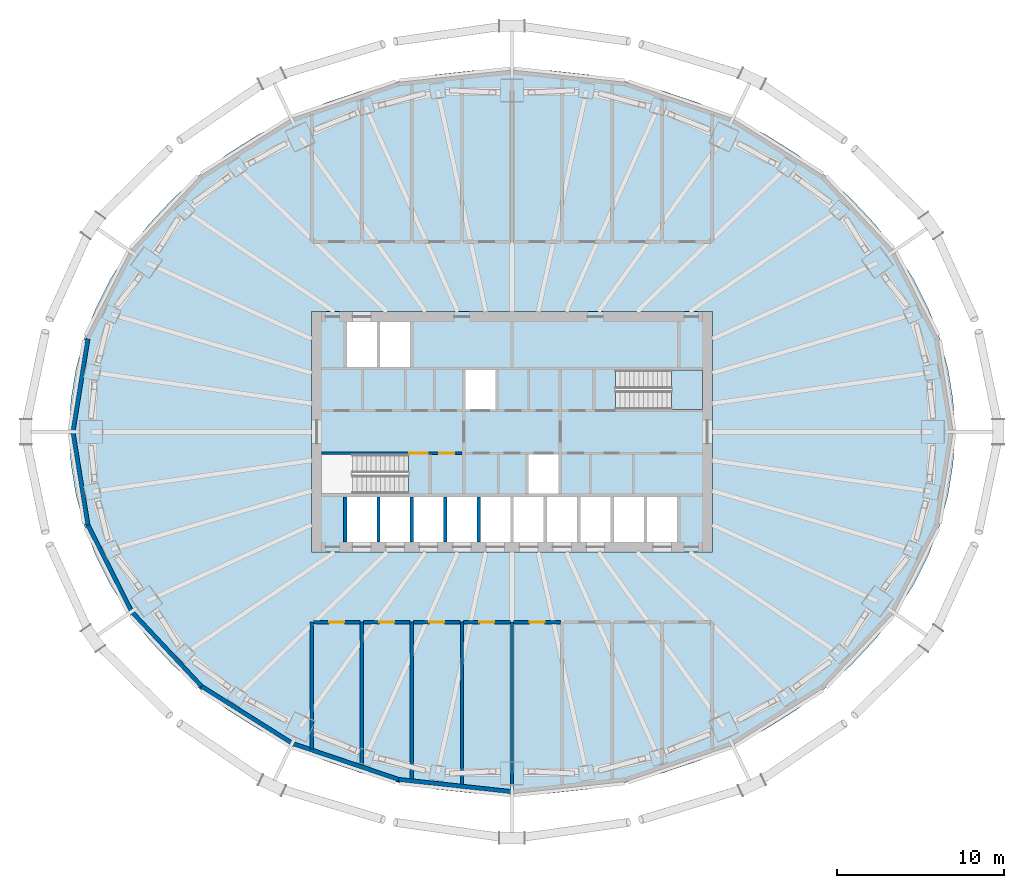
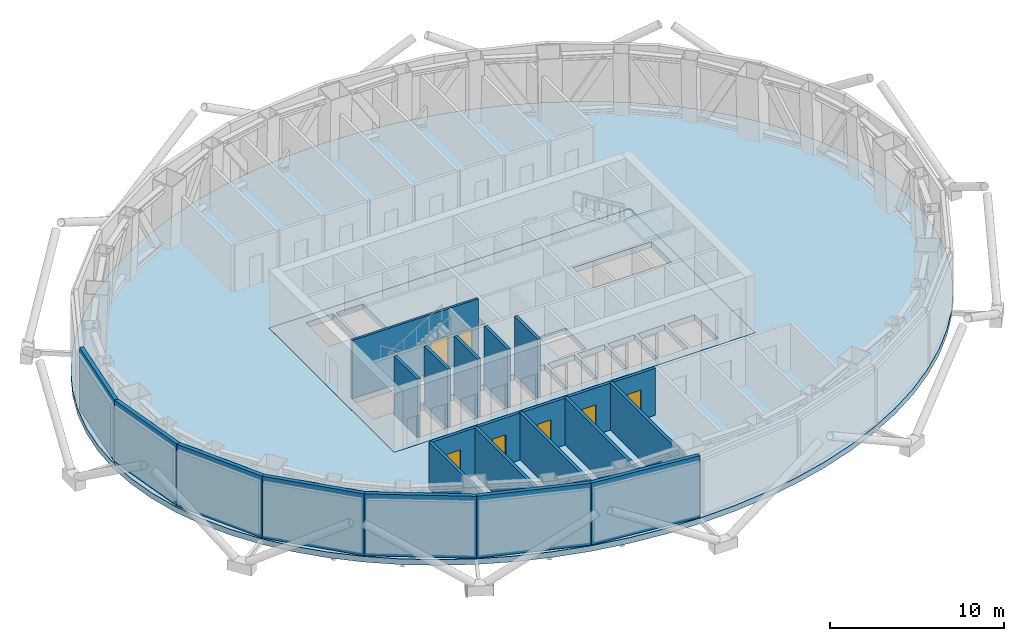
# One storey, part 5 of 18: 23 walls, 7 doors, 3 slabs, 7 openings, 1 element without a shape of its own.
"""IFC4 building model written with IfcOpenShell, lengths in metres."""

import ifcopenshell
import ifcopenshell.guid

model = None  # the IFC model being written
_history = None  # IfcOwnerHistory: only IFC2X3 demands one
_inside = {}  # id of a spatial element -> (the spatial element, [elements in it])
_under = {}  # id of a project, library or spatial element -> (it, [spatial elements below it])
_declared = {}  # id of a project -> (the project, [libraries it declares])
_typed = {}  # id of a type object -> (the type object, [elements of that type])
_made_of = {}  # id of a material, layer set ... -> (it, [elements and type objects made of it])


def new_model(schema):
    """Start an empty IFC model of exactly this schema.

    Asked for "IFC4X3", IfcOpenShell would pick the latest addendum, in which some entities
    have other attributes; the version numbers below select the first issue.
    IFC2X3 requires an IfcOwnerHistory on every rooted entity: one is made here for all.
    """
    global model, _history
    if schema == "IFC4X3":
        model = ifcopenshell.file(schema_version=(4, 3, 0, 0))
    else:
        model = ifcopenshell.file(schema=schema)
    _inside.clear()
    _under.clear()
    _declared.clear()
    _typed.clear()
    _made_of.clear()
    _history = None
    if model.schema == "IFC2X3":
        org = make("IfcOrganization", Name="unknown")
        user = make(
            "IfcPersonAndOrganization",
            ThePerson=make("IfcPerson", FamilyName="unknown"),
            TheOrganization=org,
        )
        app = make(
            "IfcApplication",
            ApplicationDeveloper=org,
            Version="unknown",
            ApplicationFullName="unknown",
            ApplicationIdentifier="unknown",
        )
        _history = make(
            "IfcOwnerHistory",
            OwningUser=user,
            OwningApplication=app,
            ChangeAction="ADDED",
            CreationDate=0,
        )
    return model


def make(cls, **values):
    """One entity of the class cls with the attributes given. An attribute that is None is left unset."""
    return model.create_entity(
        cls, **{name: value for name, value in values.items() if value is not None}
    )


def rooted(cls, **values):
    """An entity with a GlobalId (a new one), such as an element, a storey or a relation."""
    return make(cls, GlobalId=ifcopenshell.guid.new(), OwnerHistory=_history, **values)


def si_unit(unit_type, name, prefix=None):
    """IfcSIUnit, for example si_unit("LENGTHUNIT", "METRE", prefix="MILLI")."""
    return make("IfcSIUnit", UnitType=unit_type, Prefix=prefix, Name=name)


def assignment(units):
    """IfcUnitAssignment: the units of a project."""
    return None if units is None else make("IfcUnitAssignment", Units=units)


def point(xyz):
    """IfcCartesianPoint."""
    return None if xyz is None else make("IfcCartesianPoint", Coordinates=xyz)


def direction(xyz):
    """IfcDirection."""
    return None if xyz is None else make("IfcDirection", DirectionRatios=xyz)


def frame(location, z_axis=None, x_axis=None):
    """IfcAxis2Placement3D, a coordinate frame: its origin and axes. An axis left out is left unset."""
    return make(
        "IfcAxis2Placement3D",
        Location=point(location),
        Axis=direction(z_axis),
        RefDirection=direction(x_axis),
    )


def frame_2d(location, x_axis=None):
    """IfcAxis2Placement2D, a coordinate frame in the plane: its origin and x axis."""
    return make(
        "IfcAxis2Placement2D", Location=point(location), RefDirection=direction(x_axis)
    )


def origin():
    """The frame at (0, 0, 0) with its axes left unset."""
    return frame((0.0, 0.0, 0.0))


def place(relative_to, where):
    """IfcLocalPlacement: puts the frame where relative to a parent placement (None: the world)."""
    return make(
        "IfcLocalPlacement", PlacementRelTo=relative_to, RelativePlacement=where
    )


def context(
    kind, dimensions, precision=None, world=None, true_north=None, identifier=None
):
    """IfcGeometricRepresentationContext, for example the 3D "Model" context."""
    return make(
        "IfcGeometricRepresentationContext",
        ContextIdentifier=identifier,
        ContextType=kind,
        CoordinateSpaceDimension=dimensions,
        Precision=precision,
        WorldCoordinateSystem=world,
        TrueNorth=true_north,
    )


def subcontext(parent, identifier, kind, view, scale=None):
    """IfcGeometricRepresentationSubContext, for example "Body" below "Model"."""
    return make(
        "IfcGeometricRepresentationSubContext",
        ContextIdentifier=identifier,
        ContextType=kind,
        ParentContext=parent,
        TargetScale=scale,
        TargetView=view,
    )


def project(units=None, contexts=None):
    """IfcProject with its units and contexts."""
    return rooted(
        "IfcProject",
        Name="project",
        RepresentationContexts=contexts,
        UnitsInContext=assignment(units),
    )


def spatial(cls, under=None, at=None, **own):
    """A site, building, storey or space (cls), placed at a placement, below another one or the project."""
    s = rooted(cls, ObjectPlacement=at, **own)
    if under is not None:
        _under.setdefault(under.id(), (under, []))[1].append(s)
    return s


def polyline(points):
    """IfcPolyline through the points."""
    return make("IfcPolyline", Points=[point(p) for p in points])


def profile(cls, at=None, kind="AREA", **sizes):
    """A parametric profile (cls). Its sizes go by their IFC names, for example OverallWidth=200.0."""
    return make(cls, ProfileType=kind, Position=at, **sizes)


def rectangle(**sizes):
    """IfcRectangleProfileDef."""
    return profile("IfcRectangleProfileDef", **sizes)


def outline(outer, holes=None, kind="AREA"):
    """IfcArbitraryClosedProfileDef: a profile drawn as a closed curve; with holes, ...WithVoids."""
    if holes is None:
        return make("IfcArbitraryClosedProfileDef", ProfileType=kind, OuterCurve=outer)
    return make(
        "IfcArbitraryProfileDefWithVoids",
        ProfileType=kind,
        OuterCurve=outer,
        InnerCurves=holes,
    )


def extrude(swept, where, along, depth):
    """IfcExtrudedAreaSolid: the profile swept, set in the frame where, extruded along a direction by depth."""
    return make(
        "IfcExtrudedAreaSolid",
        SweptArea=swept,
        Position=where,
        ExtrudedDirection=direction(along),
        Depth=depth,
    )


def shape(context_of_items, identifier, shape_type, items):
    """IfcShapeRepresentation: the items that make up one representation, for example the "Body"."""
    return make(
        "IfcShapeRepresentation",
        ContextOfItems=context_of_items,
        RepresentationIdentifier=identifier,
        RepresentationType=shape_type,
        Items=items,
    )


def material(Name=None, Category=None):
    """IfcMaterial."""
    return make("IfcMaterial", Name=Name, Category=Category)


def layer(
    of_material, thickness, ventilated=None, Name=None, Category=None, Priority=None
):
    """IfcMaterialLayer: one layer of a wall or slab, of a material (None: an air gap)."""
    return make(
        "IfcMaterialLayer",
        Material=of_material,
        LayerThickness=thickness,
        IsVentilated=ventilated,
        Name=Name,
        Category=Category,
        Priority=Priority,
    )


def layer_set(layers, Name=None):
    """IfcMaterialLayerSet."""
    return make("IfcMaterialLayerSet", MaterialLayers=layers, LayerSetName=Name)


def made_of(thing, what):
    """Note that an element or type object is made of a material, layer set ...; save() writes the relation."""
    if what is not None:
        _made_of.setdefault(what.id(), (what, []))[1].append(thing)
    return thing


def type_object(cls, material=None, **own):
    """A type object (cls), such as IfcWallType, which elements share."""
    return made_of(rooted(cls, **own), material)


def element(
    cls,
    number,
    at=None,
    inside=None,
    cuts=None,
    type_object=None,
    material=None,
    context=None,
    identifier="Body",
    shape_type=None,
    held_by="IfcProductDefinitionShape",
    body=None,
    shapes=None,
    **own,
):
    """One element of the class cls, such as IfcWall. Its Tag is "e" and its number.

    at: its placement. inside: the storey or other place that contains it. cuts: it is an
    opening in that element (IfcRelVoidsElement). A single representation is given by context,
    identifier, shape_type and body (its items); several are given by shapes. held_by: the class
    of the entity that holds the representations. save() writes the other relations.
    """
    e = rooted(cls, Tag="e%d" % number, ObjectPlacement=at, **own)
    if body is not None:
        shapes = [shape(context, identifier, shape_type, body)]
    if shapes is not None:
        e.Representation = make(held_by, Representations=shapes)
    if inside is not None:
        _inside.setdefault(inside.id(), (inside, []))[1].append(e)
    if cuts is not None:
        rooted(
            "IfcRelVoidsElement", RelatingBuildingElement=cuts, RelatedOpeningElement=e
        )
    if type_object is not None:
        _typed.setdefault(type_object.id(), (type_object, []))[1].append(e)
    return made_of(e, material)


def fill(opening, filler):
    """IfcRelFillsElement: the door or window that sits in an opening."""
    return rooted(
        "IfcRelFillsElement",
        RelatingOpeningElement=opening,
        RelatedBuildingElement=filler,
    )


def aggregate(whole, parts):
    """IfcRelAggregates: a whole, such as a stair, and the parts it consists of."""
    return rooted("IfcRelAggregates", RelatingObject=whole, RelatedObjects=parts)


def save(model, path):
    """Write the relations noted so far, then the file.

    IfcRelAggregates (storeys below a building ...), IfcRelContainedInSpatialStructure (elements
    in a storey), IfcRelDefinesByType, IfcRelAssociatesMaterial and IfcRelDeclares: one each for
    every whole, place, type object, material and project.
    """
    for whole, parts in _under.values():
        aggregate(whole, parts)
    for where, things in _inside.values():
        rooted(
            "IfcRelContainedInSpatialStructure",
            RelatedElements=things,
            RelatingStructure=where,
        )
    for kind, things in _typed.values():
        rooted("IfcRelDefinesByType", RelatedObjects=things, RelatingType=kind)
    for what, things in _made_of.values():
        rooted("IfcRelAssociatesMaterial", RelatedObjects=things, RelatingMaterial=what)
    for by, libraries in _declared.values():
        rooted("IfcRelDeclares", RelatingContext=by, RelatedDefinitions=libraries)
    model.write(path)


model = new_model("IFC4")

# Units and contexts
model_context = context("Model", 3, precision=1e-05, world=origin(), true_north=direction((0.0, 1.0)))
body_context = subcontext(model_context, "Body", "Model", "MODEL_VIEW")
ifc_project = project(units=[si_unit("LENGTHUNIT", "METRE"), si_unit("AREAUNIT", "SQUARE_METRE"), si_unit("VOLUMEUNIT", "CUBIC_METRE"), si_unit("PLANEANGLEUNIT", "RADIAN"), si_unit("MASSUNIT", "GRAM", prefix="KILO")], contexts=[model_context])

# Site, building, storey
site_placement = place(None, origin())
site = spatial("IfcSite", under=ifc_project, at=site_placement, CompositionType="ELEMENT")
building_placement = place(site_placement, origin())
building = spatial("IfcBuilding", under=site, at=building_placement, Name="Siaravel Broadcast Tower", CompositionType="ELEMENT")
storey_placement = place(building_placement, frame((0.0, 0.0, 92.60009765625)))
storey = spatial("IfcBuildingStorey", under=building, at=storey_placement, Name="L21", CompositionType="ELEMENT", Elevation=92.60009765625)

# Slabs
ifc_material_1 = material(Name="Concrete C40/50", Category="concrete")
ifc_layer_1 = layer(ifc_material_1, 0.39990234375)
ifc_layer_set_1 = layer_set([ifc_layer_1], Name="Concrete C40/50")
slab_type_1 = type_object("IfcSlabType", Name="Core floor slab 400", PredefinedType="FLOOR", material=ifc_layer_set_1)
slab_1_placement = place(storey_placement, frame((0.0, 0.0, -0.400146484375)))
element("IfcSlab", 1, at=slab_1_placement, inside=storey, type_object=slab_type_1, Name="L21 core floor", PredefinedType="FLOOR", context=body_context, shape_type="SweptSolid", body=[
    extrude(outline(polyline([(-12.0, -7.199951171875), (-12.0, 7.199951171875), (12.0, 7.199951171875), (12.0, -7.199951171875), (-12.0, -7.199951171875)]), holes=[polyline([(11.3994140625, 1.3505859375), (11.3994140625, 3.699462890625), (6.200439453125, 3.699462890625), (6.200439453125, 1.3505859375), (11.3994140625, 1.3505859375)]), polyline([(9.89990234375, -3.89990234375), (8.10009765625, -3.89990234375), (8.10009765625, -6.60009765625), (9.89990234375, -6.60009765625), (9.89990234375, -3.89990234375)]), polyline([(7.89990234375, -3.89990234375), (6.10009765625, -3.89990234375), (6.10009765625, -6.60009765625), (7.89990234375, -6.60009765625), (7.89990234375, -3.89990234375)]), polyline([(5.89990234375, -3.89990234375), (4.10009765625, -3.89990234375), (4.10009765625, -6.60009765625), (5.89990234375, -6.60009765625), (5.89990234375, -3.89990234375)]), polyline([(3.89990234375, -3.89990234375), (2.10009765625, -3.89990234375), (2.10009765625, -6.60009765625), (3.89990234375, -6.60009765625), (3.89990234375, -3.89990234375)]), polyline([(2.800048828125, -1.35009765625), (1.0, -1.35009765625), (1.0, -3.699951171875), (2.800048828125, -3.699951171875), (2.800048828125, -1.35009765625)]), polyline([(1.89990234375, -3.89990234375), (0.10009765625, -3.89990234375), (0.10009765625, -6.60009765625), (1.89990234375, -6.60009765625), (1.89990234375, -3.89990234375)]), polyline([(-0.10009765625, -3.89990234375), (-1.89990234375, -3.89990234375), (-1.89990234375, -6.60009765625), (-0.10009765625, -6.60009765625), (-0.10009765625, -3.89990234375)]), polyline([(-1.0, 3.699951171875), (-2.800048828125, 3.699951171875), (-2.800048828125, 1.35009765625), (-1.0, 1.35009765625), (-1.0, 3.699951171875)]), polyline([(-2.10009765625, -3.89990234375), (-3.89990234375, -3.89990234375), (-3.89990234375, -6.60009765625), (-2.10009765625, -6.60009765625), (-2.10009765625, -3.89990234375)]), polyline([(-4.10009765625, -3.89990234375), (-5.89990234375, -3.89990234375), (-5.89990234375, -6.60009765625), (-4.10009765625, -6.60009765625), (-4.10009765625, -3.89990234375)]), polyline([(-6.10009765625, -3.89990234375), (-7.89990234375, -3.89990234375), (-7.89990234375, -6.60009765625), (-6.10009765625, -6.60009765625), (-6.10009765625, -3.89990234375)]), polyline([(-6.10009765625, 6.60009765625), (-7.89990234375, 6.60009765625), (-7.89990234375, 3.89990234375), (-6.10009765625, 3.89990234375), (-6.10009765625, 6.60009765625)]), polyline([(-11.3994140625, -1.3505859375), (-11.3994140625, -3.699462890625), (-6.200439453125, -3.699462890625), (-6.200439453125, -1.3505859375), (-11.3994140625, -1.3505859375)]), polyline([(-8.10009765625, -3.89990234375), (-9.89990234375, -3.89990234375), (-9.89990234375, -6.60009765625), (-8.10009765625, -6.60009765625), (-8.10009765625, -3.89990234375)]), polyline([(-8.10009765625, 6.60009765625), (-9.89990234375, 6.60009765625), (-9.89990234375, 3.89990234375), (-8.10009765625, 3.89990234375), (-8.10009765625, 6.60009765625)])]), origin(), (0.0, 0.0, 1.0), 0.400146484375),
])
ifc_layer_2 = layer(ifc_material_1, 0.39990234375)
ifc_layer_set_2 = layer_set([ifc_layer_2], Name="Concrete C40/50")
slab_type_2 = type_object("IfcSlabType", Name="SLB-FLOOR-400", PredefinedType="FLOOR", material=ifc_layer_set_2)
slab_2_placement = place(storey_placement, frame((0.0, 0.0, -0.400146484375)))
element("IfcSlab", 2, at=slab_2_placement, inside=storey, type_object=slab_type_2, Name="Floor slab", PredefinedType="FLOOR", context=body_context, shape_type="SweptSolid", body=[
    extrude(outline(polyline([(26.529296875, 0.0), (26.428466796875, 1.893798828125), (26.12646484375, 3.7734375), (25.62548828125, 5.624267578125), (24.929443359375, 7.432373046875), (24.043701171875, 9.18359375), (22.97509765625, 10.865234375), (21.731689453125, 12.464111328125), (20.32275390625, 13.96826171875), (18.759033203125, 15.365966796875), (17.052734375, 16.646484375), (15.216552734375, 17.80078125), (13.2646484375, 18.8193359375), (11.2119140625, 19.694580078125), (9.073486328125, 20.420166015625), (6.8662109375, 20.989990234375), (4.606689453125, 21.400390625), (2.312255859375, 21.64794921875), (0.0, 21.730712890625), (-2.312255859375, 21.64794921875), (-4.606689453125, 21.400390625), (-6.8662109375, 20.989990234375), (-9.073486328125, 20.420166015625), (-11.2119140625, 19.694580078125), (-13.2646484375, 18.8193359375), (-15.216552734375, 17.80078125), (-17.052734375, 16.646484375), (-18.759033203125, 15.365966796875), (-20.32275390625, 13.96826171875), (-21.731689453125, 12.464111328125), (-22.97509765625, 10.865234375), (-24.043701171875, 9.18359375), (-24.929443359375, 7.432373046875), (-25.62548828125, 5.624267578125), (-26.12646484375, 3.7734375), (-26.428466796875, 1.893798828125), (-26.529296875, 0.0), (-26.428466796875, -1.893798828125), (-26.12646484375, -3.7734375), (-25.62548828125, -5.624267578125), (-24.929443359375, -7.432373046875), (-24.043701171875, -9.18359375), (-22.97509765625, -10.865234375), (-21.731689453125, -12.464111328125), (-20.32275390625, -13.96826171875), (-18.759033203125, -15.365966796875), (-17.052734375, -16.646484375), (-15.216552734375, -17.80078125), (-13.2646484375, -18.8193359375), (-11.2119140625, -19.694580078125), (-9.073486328125, -20.420166015625), (-6.8662109375, -20.989990234375), (-4.606689453125, -21.400390625), (-2.312255859375, -21.64794921875), (0.0, -21.730712890625), (2.312255859375, -21.64794921875), (4.606689453125, -21.400390625), (6.8662109375, -20.989990234375), (9.073486328125, -20.420166015625), (11.2119140625, -19.694580078125), (13.2646484375, -18.8193359375), (15.216552734375, -17.80078125), (17.052734375, -16.646484375), (18.759033203125, -15.365966796875), (20.32275390625, -13.96826171875), (21.731689453125, -12.464111328125), (22.97509765625, -10.865234375), (24.043701171875, -9.18359375), (24.929443359375, -7.432373046875), (25.62548828125, -5.624267578125), (26.12646484375, -3.7734375), (26.428466796875, -1.893798828125), (26.529296875, 0.0)]), holes=[polyline([(-12.0, 7.199951171875), (12.0, 7.199951171875), (12.0, -7.199951171875), (-12.0, -7.199951171875), (-12.0, 7.199951171875)])]), origin(), (0.0, 0.0, 1.0), 0.400146484375),
])

# Stair, slab
stair_type = type_object("IfcStairType", Name="Core exit stair", PredefinedType="HALF_TURN_STAIR", material=ifc_material_1)
stair_placement = place(storey_placement, origin())
stair = element("IfcStair", 3, at=stair_placement, inside=storey, type_object=stair_type, Name="L21 Exit stair ST-2", PredefinedType="HALF_TURN_STAIR")
ifc_layer_3 = layer(ifc_material_1, 0.199951171875)
ifc_layer_set_3 = layer_set([ifc_layer_3], Name="Concrete C40/50")
slab_type_3 = type_object("IfcSlabType", Name="Stair landing", PredefinedType="LANDING", material=ifc_layer_set_3)
slab_3_placement = place(storey_placement, frame((0.0, 0.0, 2.0498046875)))
slab_3 = element("IfcSlab", 4, at=slab_3_placement, type_object=slab_type_3, Name="ST-2 landing 1", PredefinedType="LANDING", context=body_context, shape_type="SweptSolid", body=[
    extrude(outline(polyline([(9.56005859375, 1.35009765625), (11.39990234375, 1.35009765625), (11.39990234375, 3.699951171875), (9.56005859375, 3.699951171875), (9.56005859375, 1.35009765625)])), origin(), (0.0, 0.0, 1.0), 0.2001953125),
])
aggregate(stair, [slab_3])

# Walls
ifc_material_2 = material(Name="Concrete blockwork", Category="masonry")
ifc_layer_4 = layer(ifc_material_2, 0.199951171875)
ifc_layer_set_4 = layer_set([ifc_layer_4], Name="Concrete blockwork")
wall_type_1 = type_object("IfcWallType", Name="Plant room wall 200", PredefinedType="PARTITIONING", material=ifc_layer_set_4)
wall_1_placement = place(storey_placement, frame((0.0, -21.509521484375, 0.0), z_axis=(0.0, 0.0, 1.0), x_axis=(0.0, 1.0, 0.0)))
element("IfcWall", 5, at=wall_1_placement, inside=storey, type_object=wall_type_1, Name="L21 partition 1", PredefinedType="PARTITIONING", context=body_context, shape_type="SweptSolid", body=[
    extrude(rectangle(XDim=10.109619140625, YDim=0.199951171875, at=frame_2d((5.0546875, 0.0))), origin(), (0.0, 0.0, 1.0), 3.2998046875),
])
wall_2_placement = place(storey_placement, frame((-3.0, -21.185791015625, 0.0), z_axis=(0.0, 0.0, 1.0), x_axis=(0.0, 1.0, 0.0)))
element("IfcWall", 6, at=wall_2_placement, inside=storey, type_object=wall_type_1, Name="L21 partition 3", PredefinedType="PARTITIONING", context=body_context, shape_type="SweptSolid", body=[
    extrude(rectangle(XDim=9.785888671875, YDim=0.199951171875, at=frame_2d((4.89306640625, 0.0))), origin(), (0.0, 0.0, 1.0), 3.2998046875),
])
wall_3_placement = place(storey_placement, frame((-6.0, -20.8623046875, 0.0), z_axis=(0.0, 0.0, 1.0), x_axis=(0.0, 1.0, 0.0)))
element("IfcWall", 7, at=wall_3_placement, inside=storey, type_object=wall_type_1, Name="L21 partition 7", PredefinedType="PARTITIONING", context=body_context, shape_type="SweptSolid", body=[
    extrude(rectangle(XDim=9.46240234375, YDim=0.199951171875, at=frame_2d((4.731201171875, 0.0))), origin(), (0.0, 0.0, 1.0), 3.2998046875),
])
wall_4_placement = place(storey_placement, frame((-9.0, -20.03125, 0.0), z_axis=(0.0, 0.0, 1.0), x_axis=(0.0, 1.0, 0.0)))
element("IfcWall", 8, at=wall_4_placement, inside=storey, type_object=wall_type_1, Name="L21 partition 11", PredefinedType="PARTITIONING", context=body_context, shape_type="SweptSolid", body=[
    extrude(rectangle(XDim=8.63134765625, YDim=0.199951171875, at=frame_2d((4.315673828125, 0.0))), origin(), (0.0, 0.0, 1.0), 3.2998046875),
])
wall_5_placement = place(storey_placement, frame((-12.0, -11.387939453125, 0.0), z_axis=(0.0, 0.0, 1.0), x_axis=(0.0, -1.0, 0.0)))
element("IfcWall", 9, at=wall_5_placement, inside=storey, type_object=wall_type_1, Name="L21 partition 15", PredefinedType="PARTITIONING", context=body_context, shape_type="SweptSolid", body=[
    extrude(rectangle(XDim=7.62548828125, YDim=0.199951171875, at=frame_2d((3.812744140625, 0.0))), origin(), (0.0, 0.0, 1.0), 3.2998046875),
])

# Wall, opening, door
wall_6_placement = place(storey_placement, frame((-11.89794921875, -11.39990234375, 0.0), z_axis=(0.0, 0.0, 1.0), x_axis=(1.0, 0.0, 0.0)))
wall_6 = element("IfcWall", 10, at=wall_6_placement, inside=storey, type_object=wall_type_1, Name="L21 partition 19", PredefinedType="PARTITIONING", context=body_context, shape_type="SweptSolid", body=[
    extrude(rectangle(XDim=2.7958984375, YDim=0.199951171875, at=frame_2d((1.39794921875, 0.0))), origin(), (0.0, 0.0, 1.0), 3.2998046875),
])
opening_1_placement = place(wall_6_placement, frame((0.947998046875, 0.0, 0.0)))
opening_1 = element("IfcOpeningElement", 11, at=opening_1_placement, cuts=wall_6, Name="Opening L21-009", PredefinedType="OPENING", context=body_context, shape_type="SweptSolid", body=[
    extrude(rectangle(XDim=0.89990234375, YDim=2.10009765625, at=frame_2d((0.449951171875, 1.050048828125))), frame((0.0, 0.10986328125, 0.0), z_axis=(0.0, -1.0, 0.0), x_axis=(1.0, 0.0, 0.0)), (0.0, 0.0, 1.0), 0.219970703125),
])
ifc_material_3 = material(Name="Steel", Category="steel")
door_type_1 = type_object("IfcDoorType", Name="Plant room door 900", OperationType="SINGLE_SWING_LEFT", PredefinedType="DOOR", material=ifc_material_3)
door_1_placement = place(opening_1_placement, origin())
door_1 = element("IfcDoor", 12, at=door_1_placement, inside=storey, type_object=door_type_1, Name="L21 door to Boiler plant room", OperationType="SINGLE_SWING_LEFT", OverallHeight=2.10009765625, OverallWidth=0.89990234375, PredefinedType="DOOR", context=body_context, shape_type="SweptSolid", body=[
    extrude(rectangle(XDim=0.89990234375, YDim=2.10009765625, at=frame_2d((0.449951171875, 1.050048828125))), frame((0.0, 0.02490234375, 0.0), z_axis=(0.0, -1.0, 0.0), x_axis=(1.0, 0.0, 0.0)), (0.0, 0.0, 1.0), 0.050048828125),
])
fill(opening_1, door_1)

wall_7_placement = place(storey_placement, frame((-8.89794921875, -11.39990234375, 0.0), z_axis=(0.0, 0.0, 1.0), x_axis=(1.0, 0.0, 0.0)))
wall_7 = element("IfcWall", 13, at=wall_7_placement, inside=storey, type_object=wall_type_1, Name="L21 partition 20", PredefinedType="PARTITIONING", context=body_context, shape_type="SweptSolid", body=[
    extrude(rectangle(XDim=2.7958984375, YDim=0.199951171875, at=frame_2d((1.39794921875, 0.0))), origin(), (0.0, 0.0, 1.0), 3.2998046875),
])
opening_2_placement = place(wall_7_placement, frame((0.947998046875, 0.0, 0.0)))
opening_2 = element("IfcOpeningElement", 14, at=opening_2_placement, cuts=wall_7, Name="Opening L21-010", PredefinedType="OPENING", context=body_context, shape_type="SweptSolid", body=[
    extrude(rectangle(XDim=0.89990234375, YDim=2.10009765625, at=frame_2d((0.449951171875, 1.050048828125))), frame((0.0, 0.10986328125, 0.0), z_axis=(0.0, -1.0, 0.0), x_axis=(1.0, 0.0, 0.0)), (0.0, 0.0, 1.0), 0.219970703125),
])
door_2_placement = place(opening_2_placement, origin())
door_2 = element("IfcDoor", 15, at=door_2_placement, inside=storey, type_object=door_type_1, Name="L21 door to Water tank room", OperationType="SINGLE_SWING_RIGHT", OverallHeight=2.10009765625, OverallWidth=0.89990234375, PredefinedType="DOOR", context=body_context, shape_type="SweptSolid", body=[
    extrude(rectangle(XDim=0.89990234375, YDim=2.10009765625, at=frame_2d((0.449951171875, 1.050048828125))), frame((0.0, 0.02490234375, 0.0), z_axis=(0.0, -1.0, 0.0), x_axis=(1.0, 0.0, 0.0)), (0.0, 0.0, 1.0), 0.050048828125),
])
fill(opening_2, door_2)

wall_8_placement = place(storey_placement, frame((-5.89794921875, -11.39990234375, 0.0), z_axis=(0.0, 0.0, 1.0), x_axis=(1.0, 0.0, 0.0)))
wall_8 = element("IfcWall", 16, at=wall_8_placement, inside=storey, type_object=wall_type_1, Name="L21 partition 22", PredefinedType="PARTITIONING", context=body_context, shape_type="SweptSolid", body=[
    extrude(rectangle(XDim=2.7958984375, YDim=0.199951171875, at=frame_2d((1.39794921875, 0.0))), origin(), (0.0, 0.0, 1.0), 3.2998046875),
])
opening_3_placement = place(wall_8_placement, frame((0.947998046875, 0.0, 0.0)))
opening_3 = element("IfcOpeningElement", 17, at=opening_3_placement, cuts=wall_8, Name="Opening L21-011", PredefinedType="OPENING", context=body_context, shape_type="SweptSolid", body=[
    extrude(rectangle(XDim=0.89990234375, YDim=2.10009765625, at=frame_2d((0.449951171875, 1.050048828125))), frame((0.0, 0.10986328125, 0.0), z_axis=(0.0, -1.0, 0.0), x_axis=(1.0, 0.0, 0.0)), (0.0, 0.0, 1.0), 0.219970703125),
])
door_3_placement = place(opening_3_placement, origin())
door_3 = element("IfcDoor", 18, at=door_3_placement, inside=storey, type_object=door_type_1, Name="L21 door to Sprinkler pump plant room", OperationType="SINGLE_SWING_LEFT", OverallHeight=2.10009765625, OverallWidth=0.89990234375, PredefinedType="DOOR", context=body_context, shape_type="SweptSolid", body=[
    extrude(rectangle(XDim=0.89990234375, YDim=2.10009765625, at=frame_2d((0.449951171875, 1.050048828125))), frame((0.0, 0.02490234375, 0.0), z_axis=(0.0, -1.0, 0.0), x_axis=(1.0, 0.0, 0.0)), (0.0, 0.0, 1.0), 0.050048828125),
])
fill(opening_3, door_3)

wall_9_placement = place(storey_placement, frame((-2.89794921875, -11.39990234375, 0.0), z_axis=(0.0, 0.0, 1.0), x_axis=(1.0, 0.0, 0.0)))
wall_9 = element("IfcWall", 19, at=wall_9_placement, inside=storey, type_object=wall_type_1, Name="L21 partition 24", PredefinedType="PARTITIONING", context=body_context, shape_type="SweptSolid", body=[
    extrude(rectangle(XDim=2.7958984375, YDim=0.199951171875, at=frame_2d((1.39794921875, 0.0))), origin(), (0.0, 0.0, 1.0), 3.2998046875),
])
opening_4_placement = place(wall_9_placement, frame((0.947998046875, 0.0, 0.0)))
opening_4 = element("IfcOpeningElement", 20, at=opening_4_placement, cuts=wall_9, Name="Opening L21-012", PredefinedType="OPENING", context=body_context, shape_type="SweptSolid", body=[
    extrude(rectangle(XDim=0.89990234375, YDim=2.10009765625, at=frame_2d((0.449951171875, 1.050048828125))), frame((0.0, 0.10986328125, 0.0), z_axis=(0.0, -1.0, 0.0), x_axis=(1.0, 0.0, 0.0)), (0.0, 0.0, 1.0), 0.219970703125),
])
door_4_placement = place(opening_4_placement, origin())
door_4 = element("IfcDoor", 21, at=door_4_placement, inside=storey, type_object=door_type_1, Name="L21 door to Fire pump plant room", OperationType="SINGLE_SWING_RIGHT", OverallHeight=2.10009765625, OverallWidth=0.89990234375, PredefinedType="DOOR", context=body_context, shape_type="SweptSolid", body=[
    extrude(rectangle(XDim=0.89990234375, YDim=2.10009765625, at=frame_2d((0.449951171875, 1.050048828125))), frame((0.0, 0.02490234375, 0.0), z_axis=(0.0, -1.0, 0.0), x_axis=(1.0, 0.0, 0.0)), (0.0, 0.0, 1.0), 0.050048828125),
])
fill(opening_4, door_4)

wall_10_placement = place(storey_placement, frame((0.10205078125, -11.39990234375, 0.0), z_axis=(0.0, 0.0, 1.0), x_axis=(1.0, 0.0, 0.0)))
wall_10 = element("IfcWall", 22, at=wall_10_placement, inside=storey, type_object=wall_type_1, Name="L21 partition 26", PredefinedType="PARTITIONING", context=body_context, shape_type="SweptSolid", body=[
    extrude(rectangle(XDim=2.7958984375, YDim=0.199951171875, at=frame_2d((1.39794921875, 0.0))), origin(), (0.0, 0.0, 1.0), 3.2998046875),
])
opening_5_placement = place(wall_10_placement, frame((0.947998046875, 0.0, 0.0)))
opening_5 = element("IfcOpeningElement", 23, at=opening_5_placement, cuts=wall_10, Name="Opening L21-013", PredefinedType="OPENING", context=body_context, shape_type="SweptSolid", body=[
    extrude(rectangle(XDim=0.89990234375, YDim=2.10009765625, at=frame_2d((0.449951171875, 1.050048828125))), frame((0.0, 0.10986328125, 0.0), z_axis=(0.0, -1.0, 0.0), x_axis=(1.0, 0.0, 0.0)), (0.0, 0.0, 1.0), 0.219970703125),
])
door_5_placement = place(opening_5_placement, origin())
door_5 = element("IfcDoor", 24, at=door_5_placement, inside=storey, type_object=door_type_1, Name="L21 door to Standby generator room", OperationType="SINGLE_SWING_LEFT", OverallHeight=2.10009765625, OverallWidth=0.89990234375, PredefinedType="DOOR", context=body_context, shape_type="SweptSolid", body=[
    extrude(rectangle(XDim=0.89990234375, YDim=2.10009765625, at=frame_2d((0.449951171875, 1.050048828125))), frame((0.0, 0.02490234375, 0.0), z_axis=(0.0, -1.0, 0.0), x_axis=(1.0, 0.0, 0.0)), (0.0, 0.0, 1.0), 0.050048828125),
])
fill(opening_5, door_5)

# Walls
ifc_layer_5 = layer(ifc_material_1, 0.25)
ifc_layer_set_5 = layer_set([ifc_layer_5], Name="Concrete C40/50")
wall_type_2 = type_object("IfcWallType", Name="Plant storey wall", PredefinedType="STANDARD", material=ifc_layer_set_5)
for number, where, z_axis, x_axis, name in (
    (25, (-25.412109375, 5.58251953125, 0.0), (0.0, 0.0, 1.0), (-0.158682605, -0.987329646, 0.0), "L21 plant storey wall 12"),
    (26, (-26.309326171875, 0.0, 0.0), (0.0, 0.0, 1.0), (0.158682605, -0.987329646, 0.0), "L21 plant storey wall 13"),
):
    element("IfcWall", number, at=place(storey_placement, frame(where, z_axis=z_axis, x_axis=x_axis)), inside=storey, type_object=wall_type_2, Name=name, PredefinedType="STANDARD", context=body_context, shape_type="SweptSolid", body=[
        extrude(rectangle(XDim=5.654052734375, YDim=0.25, at=frame_2d((2.8271484375, 0.0))), origin(), (0.0, 0.0, 1.0), 4.349853515625),
    ])
wall_11_placement = place(storey_placement, frame((-25.412109375, -5.58251953125, 0.0), z_axis=(0.0, 0.0, 1.0), x_axis=(0.451247307, -0.89239894, 0.0)))
element("IfcWall", 27, at=wall_11_placement, inside=storey, type_object=wall_type_2, Name="L21 plant storey wall 14", PredefinedType="STANDARD", context=body_context, shape_type="SweptSolid", body=[
    extrude(rectangle(XDim=5.828125, YDim=0.25, at=frame_2d((2.9140625, 0.0))), origin(), (0.0, 0.0, 1.0), 4.349853515625),
])
wall_12_placement = place(storey_placement, frame((-22.7822265625, -10.783447265625, 0.0), z_axis=(0.0, 0.0, 1.0), x_axis=(0.683663632, -0.729797258, 0.0)))
element("IfcWall", 28, at=wall_12_placement, inside=storey, type_object=wall_type_2, Name="L21 plant storey wall 15", PredefinedType="STANDARD", context=body_context, shape_type="SweptSolid", body=[
    extrude(rectangle(XDim=6.11767578125, YDim=0.25, at=frame_2d((3.058837890625, 0.0))), origin(), (0.0, 0.0, 1.0), 4.349853515625),
])
wall_13_placement = place(storey_placement, frame((-18.599853515625, -15.248046875, 0.0), z_axis=(0.0, 0.0, 1.0), x_axis=(0.846644363, -0.532159115, 0.0)))
element("IfcWall", 29, at=wall_13_placement, inside=storey, type_object=wall_type_2, Name="L21 plant storey wall 16", PredefinedType="STANDARD", context=body_context, shape_type="SweptSolid", body=[
    extrude(rectangle(XDim=6.435791015625, YDim=0.25, at=frame_2d((3.2177734375, 0.0))), origin(), (0.0, 0.0, 1.0), 4.349853515625),
])
wall_14_placement = place(storey_placement, frame((-13.151123046875, -18.6728515625, 0.0), z_axis=(0.0, 0.0, 1.0), x_axis=(0.946982462, -0.321285256, 0.0)))
element("IfcWall", 30, at=wall_14_placement, inside=storey, type_object=wall_type_2, Name="L21 plant storey wall 17", PredefinedType="STANDARD", context=body_context, shape_type="SweptSolid", body=[
    extrude(rectangle(XDim=6.69921875, YDim=0.25, at=frame_2d((3.349609375, 0.0))), origin(), (0.0, 0.0, 1.0), 4.349853515625),
])
wall_15_placement = place(storey_placement, frame((-6.80712890625, -20.8251953125, 0.0), z_axis=(0.0, 0.0, 1.0), x_axis=(0.994234718, -0.107225586, 0.0)))
element("IfcWall", 31, at=wall_15_placement, inside=storey, type_object=wall_type_2, Name="L21 plant storey wall 18", PredefinedType="STANDARD", context=body_context, shape_type="SweptSolid", body=[
    extrude(rectangle(XDim=6.8466796875, YDim=0.25, at=frame_2d((3.42333984375, 0.0))), origin(), (0.0, 0.0, 1.0), 4.349853515625),
])

# Wall, openings, doors
ifc_material_4 = material(Name="Concrete C60/75", Category="concrete")
ifc_layer_6 = layer(ifc_material_4, 0.14990234375)
ifc_layer_set_6 = layer_set([ifc_layer_6], Name="Concrete C60/75")
wall_type_3 = type_object("IfcWallType", Name="Shaft wall 150", PredefinedType="SHEAR", material=ifc_layer_set_6)
wall_16_placement = place(storey_placement, frame((-11.39990234375, -1.27490234375, 0.0), z_axis=(0.0, 0.0, 1.0), x_axis=(1.0, 0.0, 0.0)))
wall_16 = element("IfcWall", 32, at=wall_16_placement, inside=storey, type_object=wall_type_3, Name="L21 core wall CSW", PredefinedType="SHEAR", context=body_context, shape_type="SweptSolid", body=[
    extrude(rectangle(XDim=8.39990234375, YDim=0.14990234375, at=frame_2d((4.199951171875, 0.0))), origin(), (0.0, 0.0, 1.0), 4.099853515625),
])
opening_6_placement = place(wall_16_placement, frame((5.25, 0.0, 0.0)))
opening_6 = element("IfcOpeningElement", 33, at=opening_6_placement, cuts=wall_16, Name="Opening L21-DS-1", PredefinedType="OPENING", context=body_context, shape_type="SweptSolid", body=[
    extrude(rectangle(XDim=1.10009765625, YDim=2.14990234375, at=frame_2d((0.550048828125, 1.074951171875))), frame((0.0, 0.0849609375, 0.0), z_axis=(0.0, -1.0, 0.0), x_axis=(1.0, 0.0, 0.0)), (0.0, 0.0, 1.0), 0.169921875),
])
opening_7_placement = place(wall_16_placement, frame((7.050048828125, 0.0, 0.0)))
opening_7 = element("IfcOpeningElement", 34, at=opening_7_placement, cuts=wall_16, Name="Opening L21-DSW0", PredefinedType="OPENING", context=body_context, shape_type="SweptSolid", body=[
    extrude(rectangle(XDim=0.89990234375, YDim=2.10009765625, at=frame_2d((0.449951171875, 1.050048828125))), frame((0.0, 0.0849609375, 0.0), z_axis=(0.0, -1.0, 0.0), x_axis=(1.0, 0.0, 0.0)), (0.0, 0.0, 1.0), 0.169921875),
])
ifc_material_5 = material(Name="Timber veneer", Category="wood")
door_type_2 = type_object("IfcDoorType", Name="Core room door 900", OperationType="SINGLE_SWING_LEFT", PredefinedType="DOOR", material=ifc_material_5)
door_6_placement = place(opening_7_placement, origin())
door_6 = element("IfcDoor", 35, at=door_6_placement, inside=storey, type_object=door_type_2, Name="L21 door DSW0", OperationType="SINGLE_SWING_LEFT", OverallHeight=2.10009765625, OverallWidth=0.89990234375, PredefinedType="DOOR", context=body_context, shape_type="SweptSolid", body=[
    extrude(rectangle(XDim=0.89990234375, YDim=2.10009765625, at=frame_2d((0.449951171875, 1.050048828125))), frame((0.0, 0.02490234375, 0.0), z_axis=(0.0, -1.0, 0.0), x_axis=(1.0, 0.0, 0.0)), (0.0, 0.0, 1.0), 0.050048828125),
])
fill(opening_7, door_6)
door_type_3 = type_object("IfcDoorType", Name="Stair door 1100", OperationType="SINGLE_SWING_LEFT", PredefinedType="DOOR", material=ifc_material_3)
door_7_placement = place(opening_6_placement, origin())
door_7 = element("IfcDoor", 36, at=door_7_placement, inside=storey, type_object=door_type_3, Name="L21 door DS-1", OperationType="SINGLE_SWING_LEFT", OverallHeight=2.14990234375, OverallWidth=1.10009765625, PredefinedType="DOOR", context=body_context, shape_type="SweptSolid", body=[
    extrude(rectangle(XDim=1.10009765625, YDim=2.14990234375, at=frame_2d((0.550048828125, 1.074951171875))), frame((0.0, 0.02490234375, 0.0), z_axis=(0.0, -1.0, 0.0), x_axis=(1.0, 0.0, 0.0)), (0.0, 0.0, 1.0), 0.050048828125),
])
fill(opening_6, door_7)

# Walls
ifc_layer_7 = layer(ifc_material_4, 0.199951171875)
ifc_layer_set_7 = layer_set([ifc_layer_7], Name="Concrete C60/75")
wall_type_4 = type_object("IfcWallType", Name="Shaft wall 200", PredefinedType="SHEAR", material=ifc_layer_set_7)
for number, where, z_axis, x_axis, name in (
    (37, (-10.0, -6.60009765625, 0.0), (0.0, 0.0, 1.0), (0.0, 1.0, 0.0), "L21 core wall SWS0"),
    (38, (-8.0, -6.60009765625, 0.0), (0.0, 0.0, 1.0), (0.0, 1.0, 0.0), "L21 core wall SWS1"),
    (39, (-6.0, -6.60009765625, 0.0), (0.0, 0.0, 1.0), (0.0, 1.0, 0.0), "L21 core wall SWS2"),
    (40, (-4.0, -6.60009765625, 0.0), (0.0, 0.0, 1.0), (0.0, 1.0, 0.0), "L21 core wall SWS3"),
    (41, (-2.0, -6.60009765625, 0.0), (0.0, 0.0, 1.0), (0.0, 1.0, 0.0), "L21 core wall SWS4"),
):
    element("IfcWall", number, at=place(storey_placement, frame(where, z_axis=z_axis, x_axis=x_axis)), inside=storey, type_object=wall_type_4, Name=name, PredefinedType="SHEAR", context=body_context, shape_type="SweptSolid", body=[
        extrude(rectangle(XDim=2.7001953125, YDim=0.199951171875, at=frame_2d((1.35009765625, 0.0))), origin(), (0.0, 0.0, 1.0), 4.099853515625),
    ])

save(model, "model.ifc")
